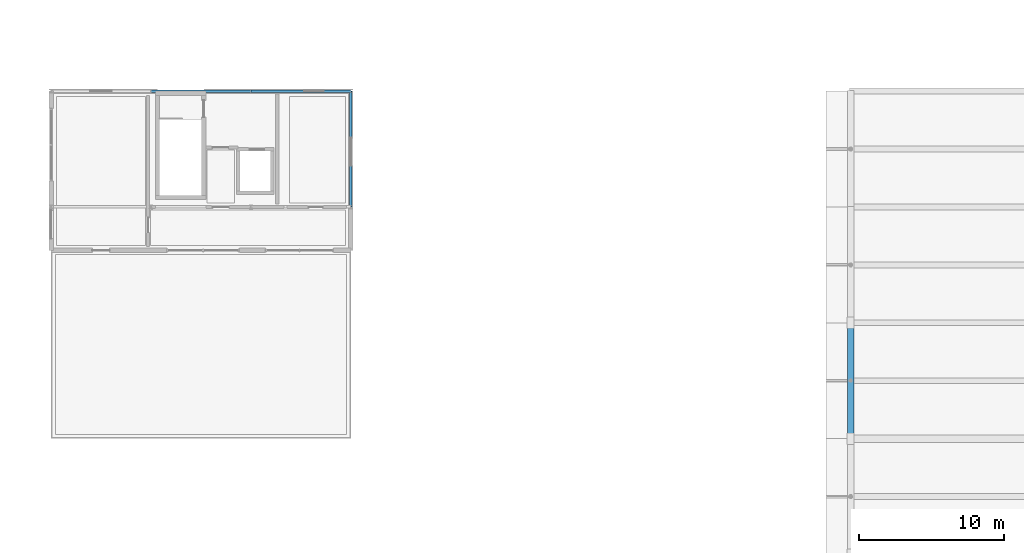
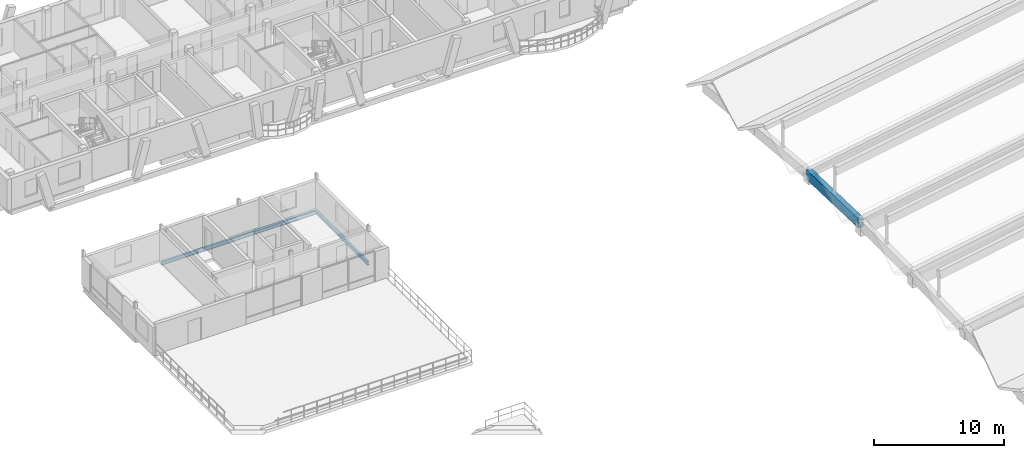
# One storey, part 31 of 109: 4 beams.
"""IFC4 building model written with IfcOpenShell, lengths in metres."""

import ifcopenshell
import ifcopenshell.guid

model = None  # the IFC model being written
_history = None  # IfcOwnerHistory: only IFC2X3 demands one
_inside = {}  # id of a spatial element -> (the spatial element, [elements in it])
_under = {}  # id of a project, library or spatial element -> (it, [spatial elements below it])
_declared = {}  # id of a project -> (the project, [libraries it declares])
_typed = {}  # id of a type object -> (the type object, [elements of that type])
_made_of = {}  # id of a material, layer set ... -> (it, [elements and type objects made of it])


def new_model(schema):
    """Start an empty IFC model of exactly this schema.

    Asked for "IFC4X3", IfcOpenShell would pick the latest addendum, in which some entities
    have other attributes; the version numbers below select the first issue.
    IFC2X3 requires an IfcOwnerHistory on every rooted entity: one is made here for all.
    """
    global model, _history
    if schema == "IFC4X3":
        model = ifcopenshell.file(schema_version=(4, 3, 0, 0))
    else:
        model = ifcopenshell.file(schema=schema)
    _inside.clear()
    _under.clear()
    _declared.clear()
    _typed.clear()
    _made_of.clear()
    _history = None
    if model.schema == "IFC2X3":
        org = make("IfcOrganization", Name="unknown")
        user = make(
            "IfcPersonAndOrganization",
            ThePerson=make("IfcPerson", FamilyName="unknown"),
            TheOrganization=org,
        )
        app = make(
            "IfcApplication",
            ApplicationDeveloper=org,
            Version="unknown",
            ApplicationFullName="unknown",
            ApplicationIdentifier="unknown",
        )
        _history = make(
            "IfcOwnerHistory",
            OwningUser=user,
            OwningApplication=app,
            ChangeAction="ADDED",
            CreationDate=0,
        )
    return model


def make(cls, **values):
    """One entity of the class cls with the attributes given. An attribute that is None is left unset."""
    return model.create_entity(
        cls, **{name: value for name, value in values.items() if value is not None}
    )


def rooted(cls, **values):
    """An entity with a GlobalId (a new one), such as an element, a storey or a relation."""
    return make(cls, GlobalId=ifcopenshell.guid.new(), OwnerHistory=_history, **values)


def si_unit(unit_type, name, prefix=None):
    """IfcSIUnit, for example si_unit("LENGTHUNIT", "METRE", prefix="MILLI")."""
    return make("IfcSIUnit", UnitType=unit_type, Prefix=prefix, Name=name)


def assignment(units):
    """IfcUnitAssignment: the units of a project."""
    return None if units is None else make("IfcUnitAssignment", Units=units)


def point(xyz):
    """IfcCartesianPoint."""
    return None if xyz is None else make("IfcCartesianPoint", Coordinates=xyz)


def direction(xyz):
    """IfcDirection."""
    return None if xyz is None else make("IfcDirection", DirectionRatios=xyz)


def frame(location, z_axis=None, x_axis=None):
    """IfcAxis2Placement3D, a coordinate frame: its origin and axes. An axis left out is left unset."""
    return make(
        "IfcAxis2Placement3D",
        Location=point(location),
        Axis=direction(z_axis),
        RefDirection=direction(x_axis),
    )


def frame_2d(location, x_axis=None):
    """IfcAxis2Placement2D, a coordinate frame in the plane: its origin and x axis."""
    return make(
        "IfcAxis2Placement2D", Location=point(location), RefDirection=direction(x_axis)
    )


def origin():
    """The frame at (0, 0, 0) with its axes left unset."""
    return frame((0.0, 0.0, 0.0))


def origin_2d():
    """The frame at (0, 0) in the plane with its x axis left unset."""
    return frame_2d((0.0, 0.0))


def place(relative_to, where):
    """IfcLocalPlacement: puts the frame where relative to a parent placement (None: the world)."""
    return make(
        "IfcLocalPlacement", PlacementRelTo=relative_to, RelativePlacement=where
    )


def context(
    kind, dimensions, precision=None, world=None, true_north=None, identifier=None
):
    """IfcGeometricRepresentationContext, for example the 3D "Model" context."""
    return make(
        "IfcGeometricRepresentationContext",
        ContextIdentifier=identifier,
        ContextType=kind,
        CoordinateSpaceDimension=dimensions,
        Precision=precision,
        WorldCoordinateSystem=world,
        TrueNorth=true_north,
    )


def subcontext(parent, identifier, kind, view, scale=None):
    """IfcGeometricRepresentationSubContext, for example "Body" below "Model"."""
    return make(
        "IfcGeometricRepresentationSubContext",
        ContextIdentifier=identifier,
        ContextType=kind,
        ParentContext=parent,
        TargetScale=scale,
        TargetView=view,
    )


def project(units=None, contexts=None):
    """IfcProject with its units and contexts."""
    return rooted(
        "IfcProject",
        Name="project",
        RepresentationContexts=contexts,
        UnitsInContext=assignment(units),
    )


def spatial(cls, under=None, at=None, **own):
    """A site, building, storey or space (cls), placed at a placement, below another one or the project."""
    s = rooted(cls, ObjectPlacement=at, **own)
    if under is not None:
        _under.setdefault(under.id(), (under, []))[1].append(s)
    return s


def profile(cls, at=None, kind="AREA", **sizes):
    """A parametric profile (cls). Its sizes go by their IFC names, for example OverallWidth=200.0."""
    return make(cls, ProfileType=kind, Position=at, **sizes)


def rectangle(**sizes):
    """IfcRectangleProfileDef."""
    return profile("IfcRectangleProfileDef", **sizes)


def i_section(**sizes):
    """IfcIShapeProfileDef."""
    return profile("IfcIShapeProfileDef", **sizes)


def extrude(swept, where, along, depth):
    """IfcExtrudedAreaSolid: the profile swept, set in the frame where, extruded along a direction by depth."""
    return make(
        "IfcExtrudedAreaSolid",
        SweptArea=swept,
        Position=where,
        ExtrudedDirection=direction(along),
        Depth=depth,
    )


def shape(context_of_items, identifier, shape_type, items):
    """IfcShapeRepresentation: the items that make up one representation, for example the "Body"."""
    return make(
        "IfcShapeRepresentation",
        ContextOfItems=context_of_items,
        RepresentationIdentifier=identifier,
        RepresentationType=shape_type,
        Items=items,
    )


def material(Name=None, Category=None):
    """IfcMaterial."""
    return make("IfcMaterial", Name=Name, Category=Category)


def material_profile(
    of_material, cross_section, Name=None, Category=None, Priority=None
):
    """IfcMaterialProfile: a cross section and its material."""
    return make(
        "IfcMaterialProfile",
        Name=Name,
        Material=of_material,
        Profile=cross_section,
        Priority=Priority,
        Category=Category,
    )


def profile_set(profiles, Name=None, composite=None):
    """IfcMaterialProfileSet."""
    return make(
        "IfcMaterialProfileSet",
        Name=Name,
        MaterialProfiles=profiles,
        CompositeProfile=composite,
    )


def made_of(thing, what):
    """Note that an element or type object is made of a material, layer set ...; save() writes the relation."""
    if what is not None:
        _made_of.setdefault(what.id(), (what, []))[1].append(thing)
    return thing


def type_object(cls, material=None, **own):
    """A type object (cls), such as IfcWallType, which elements share."""
    return made_of(rooted(cls, **own), material)


def element(
    cls,
    number,
    at=None,
    inside=None,
    cuts=None,
    type_object=None,
    material=None,
    context=None,
    identifier="Body",
    shape_type=None,
    held_by="IfcProductDefinitionShape",
    body=None,
    shapes=None,
    **own,
):
    """One element of the class cls, such as IfcWall. Its Tag is "e" and its number.

    at: its placement. inside: the storey or other place that contains it. cuts: it is an
    opening in that element (IfcRelVoidsElement). A single representation is given by context,
    identifier, shape_type and body (its items); several are given by shapes. held_by: the class
    of the entity that holds the representations. save() writes the other relations.
    """
    e = rooted(cls, Tag="e%d" % number, ObjectPlacement=at, **own)
    if body is not None:
        shapes = [shape(context, identifier, shape_type, body)]
    if shapes is not None:
        e.Representation = make(held_by, Representations=shapes)
    if inside is not None:
        _inside.setdefault(inside.id(), (inside, []))[1].append(e)
    if cuts is not None:
        rooted(
            "IfcRelVoidsElement", RelatingBuildingElement=cuts, RelatedOpeningElement=e
        )
    if type_object is not None:
        _typed.setdefault(type_object.id(), (type_object, []))[1].append(e)
    return made_of(e, material)


def aggregate(whole, parts):
    """IfcRelAggregates: a whole, such as a stair, and the parts it consists of."""
    return rooted("IfcRelAggregates", RelatingObject=whole, RelatedObjects=parts)


def save(model, path):
    """Write the relations noted so far, then the file.

    IfcRelAggregates (storeys below a building ...), IfcRelContainedInSpatialStructure (elements
    in a storey), IfcRelDefinesByType, IfcRelAssociatesMaterial and IfcRelDeclares: one each for
    every whole, place, type object, material and project.
    """
    for whole, parts in _under.values():
        aggregate(whole, parts)
    for where, things in _inside.values():
        rooted(
            "IfcRelContainedInSpatialStructure",
            RelatedElements=things,
            RelatingStructure=where,
        )
    for kind, things in _typed.values():
        rooted("IfcRelDefinesByType", RelatedObjects=things, RelatingType=kind)
    for what, things in _made_of.values():
        rooted("IfcRelAssociatesMaterial", RelatedObjects=things, RelatingMaterial=what)
    for by, libraries in _declared.values():
        rooted("IfcRelDeclares", RelatingContext=by, RelatedDefinitions=libraries)
    model.write(path)


model = new_model("IFC4")

# Units and contexts
model_context = context("Model", 3, precision=1e-05, world=origin(), true_north=direction((0.0, 1.0)))
body_context = subcontext(model_context, "Body", "Model", "MODEL_VIEW")
ifc_project = project(units=[si_unit("LENGTHUNIT", "METRE"), si_unit("AREAUNIT", "SQUARE_METRE"), si_unit("VOLUMEUNIT", "CUBIC_METRE"), si_unit("PLANEANGLEUNIT", "RADIAN"), si_unit("MASSUNIT", "GRAM", prefix="KILO")], contexts=[model_context])

# Site, building, storey
site_placement = place(None, origin())
site = spatial("IfcSite", under=ifc_project, at=site_placement, CompositionType="ELEMENT")
building_placement = place(site_placement, origin())
building = spatial("IfcBuilding", under=site, at=building_placement, Name="Zavelmont Quarter", CompositionType="ELEMENT")
storey_placement = place(building_placement, frame((0.0, 0.0, 8.0)))
storey = spatial("IfcBuildingStorey", under=building, at=storey_placement, Name="L02", CompositionType="ELEMENT", Elevation=8.0)

# Beams
ifc_material_1 = material(Name="Concrete C40/50", Category="concrete")
ifc_material_profile_1 = material_profile(ifc_material_1, rectangle(XDim=0.449951171875, YDim=0.89990234375, at=origin_2d()), Name="RC450X900")
ifc_profile_set_1 = profile_set([ifc_material_profile_1], Name="Concrete C40/50")
beam_type_1 = type_object("IfcBeamType", Name="BM06", PredefinedType="BEAM", material=ifc_profile_set_1)
beam_1_placement = place(storey_placement, frame((55.199951171875, 62.0, 1.0048828125), z_axis=(0.0, 0.999512076087, -0.031234752378), x_axis=(-1.0, 0.0, 0.0)))
element("IfcBeam", 1, at=beam_1_placement, inside=storey, type_object=beam_type_1, Name="L02 beam BM06 9/K to 9/L", PredefinedType="BEAM", context=body_context, shape_type="SweptSolid", body=[
    extrude(rectangle(XDim=0.449951171875, YDim=0.89990234375, at=origin_2d()), origin(), (0.0, 0.0, 1.0), 8.00390625),
])
ifc_material_2 = material(Name="Steel S355", Category="steel")
ifc_material_profile_2 = material_profile(ifc_material_2, i_section(OverallWidth=0.169921875, OverallDepth=0.360107421875, WebThickness=0.008056640625, FlangeThickness=0.0126953125, at=origin_2d()), Name="IPE 360")
ifc_profile_set_2 = profile_set([ifc_material_profile_2], Name="Steel S355")
beam_type_2 = type_object("IfcBeamType", Name="BM13", PredefinedType="BEAM", material=ifc_profile_set_2)
beam_2_placement = place(storey_placement, frame((6.89990234375, 86.0, -0.449951171875), z_axis=(1.0, 0.0, 0.0), x_axis=(0.0, 1.0, 0.0)))
element("IfcBeam", 2, at=beam_2_placement, inside=storey, type_object=beam_type_2, Name="L02 beam BM13 2/N to 3/N", PredefinedType="BEAM", context=body_context, shape_type="SweptSolid", body=[
    extrude(i_section(OverallWidth=0.169921875, OverallDepth=0.360107421875, WebThickness=0.008056640625, FlangeThickness=0.0126953125, at=origin_2d()), origin(), (0.0, 0.0, 1.0), 6.900146484375),
])
beam_3_placement = place(storey_placement, frame((13.800048828125, 86.0, -0.449951171875), z_axis=(1.0, 0.0, 0.0), x_axis=(0.0, 1.0, 0.0)))
element("IfcBeam", 3, at=beam_3_placement, inside=storey, type_object=beam_type_2, Name="L02 beam BM13 3/N to 4/N", PredefinedType="BEAM", context=body_context, shape_type="SweptSolid", body=[
    extrude(i_section(OverallWidth=0.169921875, OverallDepth=0.360107421875, WebThickness=0.008056640625, FlangeThickness=0.0126953125, at=origin_2d()), origin(), (0.0, 0.0, 1.0), 6.89990234375),
])
beam_4_placement = place(storey_placement, frame((20.699951171875, 78.0, -0.449951171875), z_axis=(0.0, 1.0, 0.0), x_axis=(-1.0, 0.0, 0.0)))
element("IfcBeam", 4, at=beam_4_placement, inside=storey, type_object=beam_type_2, Name="L02 beam BM13 4/M to 4/N", PredefinedType="BEAM", context=body_context, shape_type="SweptSolid", body=[
    extrude(i_section(OverallWidth=0.169921875, OverallDepth=0.360107421875, WebThickness=0.008056640625, FlangeThickness=0.0126953125, at=origin_2d()), origin(), (0.0, 0.0, 1.0), 8.0),
])

save(model, "model.ifc")
